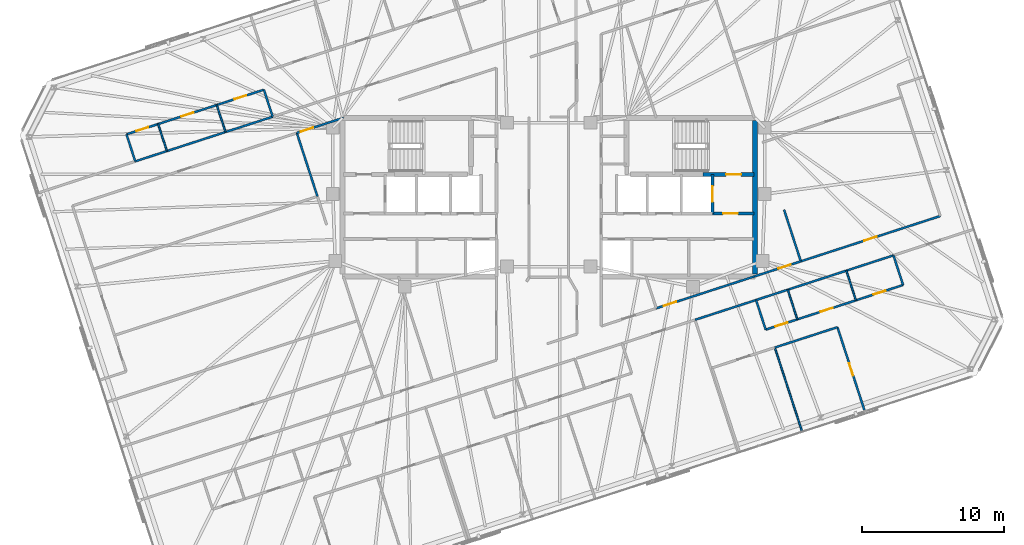
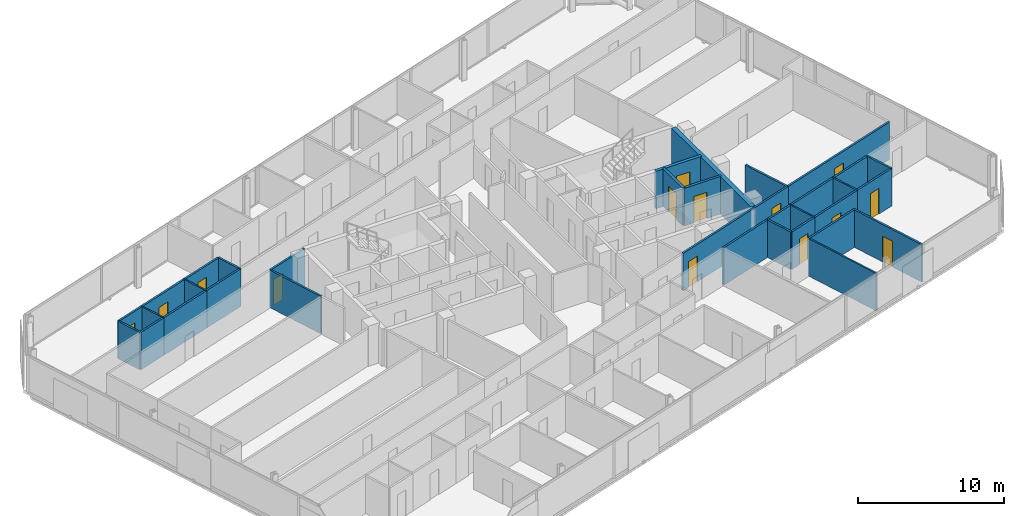
# One storey, part 16 of 20: 34 walls, 14 doors, 14 openings.
"""IFC4 building model written with IfcOpenShell, lengths in metres."""

from ifc_helpers import new_model, si_unit, direction, frame, frame_2d, origin, place, context, subcontext, project, spatial, rectangle, extrude, material, layer, layer_set, type_object, element, fill, save


model = new_model("IFC4")

# Units and contexts
model_context = context("Model", 3, precision=1e-05, world=origin(), true_north=direction((0.0, 1.0)))
body_context = subcontext(model_context, "Body", "Model", "MODEL_VIEW")
ifc_project = project(units=[si_unit("LENGTHUNIT", "METRE"), si_unit("AREAUNIT", "SQUARE_METRE"), si_unit("VOLUMEUNIT", "CUBIC_METRE"), si_unit("PLANEANGLEUNIT", "RADIAN"), si_unit("MASSUNIT", "GRAM", prefix="KILO")], contexts=[model_context])

# Site, building, storey
site_placement = place(None, origin())
site = spatial("IfcSite", under=ifc_project, at=site_placement, CompositionType="ELEMENT")
building_placement = place(site_placement, origin())
building = spatial("IfcBuilding", under=site, at=building_placement, Name="Menara Jurai Vektor", CompositionType="ELEMENT")
storey_placement = place(building_placement, frame((0.0, 0.0, 227.64990234375)))
storey = spatial("IfcBuildingStorey", under=building, at=storey_placement, Name="L60", CompositionType="ELEMENT", Elevation=227.64990234375)

# Wall, opening, door
ifc_material_1 = material(Name="Concrete C40/50", Category="concrete")
ifc_layer_1 = layer(ifc_material_1, 0.25)
ifc_layer_set_1 = layer_set([ifc_layer_1], Name="Concrete C40/50")
wall_type_1 = type_object("IfcWallType", Name="INT-WALL-CORE-250", PredefinedType="STANDARD", material=ifc_layer_set_1)
wall_1_placement = place(storey_placement, frame((10.89990234375, 1.60009765625, 0.0), z_axis=(0.0, 0.0, 1.0), x_axis=(1.0, 0.0, 0.0)))
wall_1 = element("IfcWall", 1, at=wall_1_placement, inside=storey, type_object=wall_type_1, Name="Interior Wall IW-250 L60", PredefinedType="STANDARD", context=body_context, shape_type="SweptSolid", body=[
    extrude(rectangle(XDim=3.60009765625, YDim=0.25, at=frame_2d((1.800048828125, 0.0))), origin(), (0.0, 0.0, 1.0), 3.125),
])
opening_1_placement = place(wall_1_placement, frame((1.6201171875, 0.0, 0.0)))
opening_1 = element("IfcOpeningElement", 2, at=opening_1_placement, cuts=wall_1, Name="Opening D-L60-ST2", PredefinedType="OPENING", context=body_context, shape_type="SweptSolid", body=[
    extrude(rectangle(XDim=1.050048828125, YDim=2.14990234375, at=frame_2d((0.52490234375, 1.074951171875))), frame((0.0, 0.135009765625, 0.0), z_axis=(0.0, -1.0, 0.0), x_axis=(1.0, 0.0, 0.0)), (0.0, 0.0, 1.0), 0.27001953125),
])
ifc_material_2 = material(Name="Fire-Rated Steel Door", Category="steel")
door_type_1 = type_object("IfcDoorType", Name="DR-STAIR-1050", OperationType="NOTDEFINED", PredefinedType="DOOR", material=ifc_material_2)
door_1_placement = place(opening_1_placement, origin())
door_1 = element("IfcDoor", 3, at=door_1_placement, inside=storey, type_object=door_type_1, Name="Exit Stair ST2 Door L60", OperationType="SINGLE_SWING_LEFT", OverallHeight=2.14990234375, OverallWidth=1.050048828125, PredefinedType="DOOR", context=body_context, shape_type="SweptSolid", body=[
    extrude(rectangle(XDim=1.050048828125, YDim=2.14990234375, at=frame_2d((0.52490234375, 1.074951171875))), frame((0.0, 0.02490234375, 0.0), z_axis=(0.0, -1.0, 0.0), x_axis=(1.0, 0.0, 0.0)), (0.0, 0.0, 1.0), 0.050048828125),
])
fill(opening_1, door_1)

wall_2_placement = place(storey_placement, frame((11.550048828125, -1.14990234375, 0.0), z_axis=(0.0, 0.0, 1.0), x_axis=(0.0, 1.0, 0.0)))
wall_2 = element("IfcWall", 4, at=wall_2_placement, inside=storey, type_object=wall_type_1, Name="Interior Wall IW-250 L60", PredefinedType="STANDARD", context=body_context, shape_type="SweptSolid", body=[
    extrude(rectangle(XDim=2.75, YDim=0.199951171875, at=frame_2d((1.375, 0.0))), origin(), (0.0, 0.0, 1.0), 3.125),
])
opening_2_placement = place(wall_2_placement, frame((0.824951171875, 0.0, 0.0)))
opening_2 = element("IfcOpeningElement", 5, at=opening_2_placement, cuts=wall_2, Name="Opening LD-L60-FL2", PredefinedType="OPENING", context=body_context, shape_type="SweptSolid", body=[
    extrude(rectangle(XDim=1.10009765625, YDim=2.14990234375, at=frame_2d((0.550048828125, 1.074951171875))), frame((0.0, 0.10986328125, 0.0), z_axis=(0.0, -1.0, 0.0), x_axis=(1.0, 0.0, 0.0)), (0.0, 0.0, 1.0), 0.219970703125),
])
ifc_material_3 = material(Name="Stainless Steel Sliding Lift Landing Door", Category="steel")
door_type_2 = type_object("IfcDoorType", Name="DR-LIFT-FIRE-1100", OperationType="NOTDEFINED", PredefinedType="DOOR", material=ifc_material_3)
door_2_placement = place(opening_2_placement, origin())
door_2 = element("IfcDoor", 6, at=door_2_placement, inside=storey, type_object=door_type_2, Name="Lift Landing Door FL2 L60", OperationType="SLIDING_TO_RIGHT", OverallHeight=2.14990234375, OverallWidth=1.10009765625, PredefinedType="DOOR", context=body_context, shape_type="SweptSolid", body=[
    extrude(rectangle(XDim=1.10009765625, YDim=2.14990234375, at=frame_2d((0.550048828125, 1.074951171875))), frame((0.0, 0.02490234375, 0.0), z_axis=(0.0, -1.0, 0.0), x_axis=(1.0, 0.0, 0.0)), (0.0, 0.0, 1.0), 0.050048828125),
])
fill(opening_2, door_2)

wall_3_placement = place(storey_placement, frame((11.550048828125, -1.14990234375, 0.0), z_axis=(0.0, 0.0, 1.0), x_axis=(1.0, 0.0, 0.0)))
wall_3 = element("IfcWall", 7, at=wall_3_placement, inside=storey, type_object=wall_type_1, Name="Interior Wall IW-250 L60", PredefinedType="STANDARD", context=body_context, shape_type="SweptSolid", body=[
    extrude(rectangle(XDim=2.949951171875, YDim=0.199951171875, at=frame_2d((1.47509765625, 0.0))), origin(), (0.0, 0.0, 1.0), 3.125),
])
opening_3_placement = place(wall_3_placement, frame((0.75, 0.0, 0.0)))
opening_3 = element("IfcOpeningElement", 8, at=opening_3_placement, cuts=wall_3, Name="Opening D-L60-FFE", PredefinedType="OPENING", context=body_context, shape_type="SweptSolid", body=[
    extrude(rectangle(XDim=1.050048828125, YDim=2.179931640625, at=frame_2d((0.52490234375, 1.08984375))), frame((0.0, 0.10986328125, 0.0), z_axis=(0.0, -1.0, 0.0), x_axis=(1.0, 0.0, 0.0)), (0.0, 0.0, 1.0), 0.219970703125),
])
ifc_material_4 = material(Name="Fire-Rated Timber Door", Category="wood")
door_type_3 = type_object("IfcDoorType", Name="DR-LOBBY-1050", OperationType="NOTDEFINED", PredefinedType="DOOR", material=ifc_material_4)
door_3_placement = place(opening_3_placement, origin())
door_3 = element("IfcDoor", 9, at=door_3_placement, inside=storey, type_object=door_type_3, Name="Fire Lift Lobby Door E L60", OperationType="SINGLE_SWING_LEFT", OverallHeight=2.179931640625, OverallWidth=1.050048828125, PredefinedType="DOOR", context=body_context, shape_type="SweptSolid", body=[
    extrude(rectangle(XDim=1.050048828125, YDim=2.179931640625, at=frame_2d((0.52490234375, 1.08984375))), frame((0.0, 0.02490234375, 0.0), z_axis=(0.0, -1.0, 0.0), x_axis=(1.0, 0.0, 0.0)), (0.0, 0.0, 1.0), 0.050048828125),
])
fill(opening_3, door_3)

# Walls
ifc_material_5 = material(Name="Gypsum Fireboard Partition", Category="gypsum")
ifc_layer_2 = layer(ifc_material_5, 0.14990234375)
ifc_layer_set_2 = layer_set([ifc_layer_2], Name="Gypsum Fireboard Partition")
wall_type_2 = type_object("IfcWallType", Name="INT-WALL-CORR-150", PredefinedType="PARTITIONING", material=ifc_layer_set_2)
wall_4_placement = place(storey_placement, frame((-29.197998046875, 2.5283203125, 0.0), z_axis=(0.0, 0.0, 1.0), x_axis=(0.951076048914, 0.308956872689, 0.0)))
element("IfcWall", 10, at=wall_4_placement, inside=storey, type_object=wall_type_2, Name="Interior Wall IW-150 L60", PredefinedType="PARTITIONING", context=body_context, shape_type="SweptSolid", body=[
    extrude(rectangle(XDim=2.35009765625, YDim=0.14990234375, at=frame_2d((1.175048828125, 0.0))), origin(), (0.0, 0.0, 1.0), 3.125),
])
wall_5_placement = place(storey_placement, frame((-26.962890625, 3.25439453125, 0.0), z_axis=(0.0, 0.0, 1.0), x_axis=(0.951057987102, 0.309012467661, 0.0)))
element("IfcWall", 11, at=wall_5_placement, inside=storey, type_object=wall_type_2, Name="Interior Wall IW-150 L60", PredefinedType="PARTITIONING", context=body_context, shape_type="SweptSolid", body=[
    extrude(rectangle(XDim=4.35009765625, YDim=0.14990234375, at=frame_2d((2.175048828125, 0.0))), origin(), (0.0, 0.0, 1.0), 3.125),
])
wall_6_placement = place(storey_placement, frame((-22.82568359375, 4.5986328125, 0.0), z_axis=(0.0, 0.0, 1.0), x_axis=(0.951055596592, 0.309019824916, 0.0)))
element("IfcWall", 12, at=wall_6_placement, inside=storey, type_object=wall_type_2, Name="Interior Wall IW-150 L60", PredefinedType="PARTITIONING", context=body_context, shape_type="SweptSolid", body=[
    extrude(rectangle(XDim=3.5, YDim=0.14990234375, at=frame_2d((1.75, 0.0))), origin(), (0.0, 0.0, 1.0), 3.125),
])
wall_7_placement = place(storey_placement, frame((10.324951171875, -8.66015625, 0.0), z_axis=(0.0, 0.0, 1.0), x_axis=(0.95106061278, 0.309004386407, 0.0)))
element("IfcWall", 13, at=wall_7_placement, inside=storey, type_object=wall_type_2, Name="Interior Wall IW-150 L60", PredefinedType="PARTITIONING", context=body_context, shape_type="SweptSolid", body=[
    extrude(rectangle(XDim=4.528076171875, YDim=0.14990234375, at=frame_2d((2.26416015625, 0.0))), origin(), (0.0, 0.0, 1.0), 3.125),
])
wall_8_placement = place(storey_placement, frame((14.63134765625, -7.260986328125, 0.0), z_axis=(0.0, 0.0, 1.0), x_axis=(0.951066131077, 0.308987401554, 0.0)))
element("IfcWall", 14, at=wall_8_placement, inside=storey, type_object=wall_type_2, Name="Interior Wall IW-150 L60", PredefinedType="PARTITIONING", context=body_context, shape_type="SweptSolid", body=[
    extrude(rectangle(XDim=2.349853515625, YDim=0.14990234375, at=frame_2d((1.1748046875, 0.0))), origin(), (0.0, 0.0, 1.0), 3.125),
])
wall_9_placement = place(storey_placement, frame((16.8662109375, -6.534912109375, 0.0), z_axis=(0.0, 0.0, 1.0), x_axis=(0.951041492154, 0.309063230101, 0.0)))
element("IfcWall", 15, at=wall_9_placement, inside=storey, type_object=wall_type_2, Name="Interior Wall IW-150 L60", PredefinedType="PARTITIONING", context=body_context, shape_type="SweptSolid", body=[
    extrude(rectangle(XDim=4.35009765625, YDim=0.14990234375, at=frame_2d((2.175048828125, 0.0))), origin(), (0.0, 0.0, 1.0), 3.125),
])
wall_10_placement = place(storey_placement, frame((21.00341796875, -5.1904296875, 0.0), z_axis=(0.0, 0.0, 1.0), x_axis=(0.951055596592, 0.309019824916, 0.0)))
element("IfcWall", 16, at=wall_10_placement, inside=storey, type_object=wall_type_2, Name="Interior Wall IW-150 L60", PredefinedType="PARTITIONING", context=body_context, shape_type="SweptSolid", body=[
    extrude(rectangle(XDim=3.5, YDim=0.14990234375, at=frame_2d((1.75, 0.0))), origin(), (0.0, 0.0, 1.0), 3.125),
])

# Wall, opening, door
wall_11_placement = place(storey_placement, frame((7.58837890625, -7.845947265625, 0.0), z_axis=(0.0, 0.0, 1.0), x_axis=(0.951058013903, 0.309012385174, 0.0)))
wall_11 = element("IfcWall", 17, at=wall_11_placement, inside=storey, type_object=wall_type_2, Name="Interior Wall IW-150 L60", PredefinedType="PARTITIONING", context=body_context, shape_type="SweptSolid", body=[
    extrude(rectangle(XDim=7.26708984375, YDim=0.14990234375, at=frame_2d((3.633544921875, 0.0))), origin(), (0.0, 0.0, 1.0), 3.125),
])
opening_4_placement = place(wall_11_placement, frame((0.557373046875, 0.0, 0.0)))
opening_4 = element("IfcOpeningElement", 18, at=opening_4_placement, cuts=wall_11, Name="Opening D60-47", PredefinedType="OPENING", context=body_context, shape_type="SweptSolid", body=[
    extrude(rectangle(XDim=0.919921875, YDim=2.14990234375, at=frame_2d((0.4599609375, 1.074951171875))), frame((0.0, 0.0849609375, 0.0), z_axis=(0.0, -1.0, 0.0), x_axis=(1.0, 0.0, 0.0)), (0.0, 0.0, 1.0), 0.169921875),
])
ifc_material_6 = material(Name="Solid Core Timber Fire Door", Category="wood")
door_type_4 = type_object("IfcDoorType", Name="DR-ENTRY-950", OperationType="NOTDEFINED", PredefinedType="DOOR", material=ifc_material_6)
door_4_placement = place(opening_4_placement, origin())
door_4 = element("IfcDoor", 19, at=door_4_placement, inside=storey, type_object=door_type_4, Name="Interior Door D60-47", OperationType="SINGLE_SWING_RIGHT", OverallHeight=2.14990234375, OverallWidth=0.919921875, PredefinedType="DOOR", context=body_context, shape_type="SweptSolid", body=[
    extrude(rectangle(XDim=0.919921875, YDim=2.14990234375, at=frame_2d((0.4599609375, 1.074951171875))), frame((0.0, 0.02490234375, 0.0), z_axis=(0.0, -1.0, 0.0), x_axis=(1.0, 0.0, 0.0)), (0.0, 0.0, 1.0), 0.050048828125),
])
fill(opening_4, door_4)

wall_12_placement = place(storey_placement, frame((14.499755859375, -5.600341796875, 0.0), z_axis=(0.0, 0.0, 1.0), x_axis=(0.951047546178, 0.309044600193, 0.0)))
wall_12 = element("IfcWall", 20, at=wall_12_placement, inside=storey, type_object=wall_type_2, Name="Interior Wall IW-150 L60", PredefinedType="PARTITIONING", context=body_context, shape_type="SweptSolid", body=[
    extrude(rectangle(XDim=3.4609375, YDim=0.14990234375, at=frame_2d((1.73046875, 0.0))), origin(), (0.0, 0.0, 1.0), 3.125),
])
opening_5_placement = place(wall_12_placement, frame((1.78955078125, 0.0, 0.0)))
opening_5 = element("IfcOpeningElement", 21, at=opening_5_placement, cuts=wall_12, Name="Opening D60-49", PredefinedType="OPENING", context=body_context, shape_type="SweptSolid", body=[
    extrude(rectangle(XDim=0.919921875, YDim=2.14990234375, at=frame_2d((0.4599609375, 1.074951171875))), frame((0.0, 0.0849609375, 0.0), z_axis=(0.0, -1.0, 0.0), x_axis=(1.0, 0.0, 0.0)), (0.0, 0.0, 1.0), 0.169921875),
])
door_5_placement = place(opening_5_placement, origin())
door_5 = element("IfcDoor", 22, at=door_5_placement, inside=storey, type_object=door_type_4, Name="Interior Door D60-49", OperationType="SINGLE_SWING_RIGHT", OverallHeight=2.14990234375, OverallWidth=0.919921875, PredefinedType="DOOR", context=body_context, shape_type="SweptSolid", body=[
    extrude(rectangle(XDim=0.919921875, YDim=2.14990234375, at=frame_2d((0.4599609375, 1.074951171875))), frame((0.0, 0.02490234375, 0.0), z_axis=(0.0, -1.0, 0.0), x_axis=(1.0, 0.0, 0.0)), (0.0, 0.0, 1.0), 0.050048828125),
])
fill(opening_5, door_5)

wall_13_placement = place(storey_placement, frame((-17.79150390625, 4.531005859375, 0.0), z_axis=(0.0, 0.0, 1.0), x_axis=(0.951047546178, 0.309044600193, 0.0)))
wall_13 = element("IfcWall", 23, at=wall_13_placement, inside=storey, type_object=wall_type_2, Name="Interior Wall IW-150 L60", PredefinedType="PARTITIONING", context=body_context, shape_type="SweptSolid", body=[
    extrude(rectangle(XDim=3.4609375, YDim=0.14990234375, at=frame_2d((1.73046875, 0.0))), origin(), (0.0, 0.0, 1.0), 3.125),
])
opening_6_placement = place(wall_13_placement, frame((0.301513671875, 0.0, 0.0)))
opening_6 = element("IfcOpeningElement", 24, at=opening_6_placement, cuts=wall_13, Name="Opening D60-54", PredefinedType="OPENING", context=body_context, shape_type="SweptSolid", body=[
    extrude(rectangle(XDim=0.919921875, YDim=2.14990234375, at=frame_2d((0.4599609375, 1.074951171875))), frame((0.0, 0.0849609375, 0.0), z_axis=(0.0, -1.0, 0.0), x_axis=(1.0, 0.0, 0.0)), (0.0, 0.0, 1.0), 0.169921875),
])
door_6_placement = place(opening_6_placement, origin())
door_6 = element("IfcDoor", 25, at=door_6_placement, inside=storey, type_object=door_type_4, Name="Interior Door D60-54", OperationType="SINGLE_SWING_LEFT", OverallHeight=2.14990234375, OverallWidth=0.919921875, PredefinedType="DOOR", context=body_context, shape_type="SweptSolid", body=[
    extrude(rectangle(XDim=0.919921875, YDim=2.14990234375, at=frame_2d((0.4599609375, 1.074951171875))), frame((0.0, 0.02490234375, 0.0), z_axis=(0.0, -1.0, 0.0), x_axis=(1.0, 0.0, 0.0)), (0.0, 0.0, 1.0), 0.050048828125),
])
fill(opening_6, door_6)

wall_14_placement = place(storey_placement, frame((17.791259765625, -4.53076171875, 0.0), z_axis=(0.0, 0.0, 1.0), x_axis=(0.951056769902, 0.309016213852, 0.0)))
wall_14 = element("IfcWall", 26, at=wall_14_placement, inside=storey, type_object=wall_type_2, Name="Interior Wall IW-150 L60", PredefinedType="PARTITIONING", context=body_context, shape_type="SweptSolid", body=[
    extrude(rectangle(XDim=10.35205078125, YDim=0.14990234375, at=frame_2d((5.176025390625, 0.0))), origin(), (0.0, 0.0, 1.0), 3.125),
])
opening_7_placement = place(wall_14_placement, frame((4.716064453125, 0.0, 0.0)))
opening_7 = element("IfcOpeningElement", 27, at=opening_7_placement, cuts=wall_14, Name="Opening D60-57", PredefinedType="OPENING", context=body_context, shape_type="SweptSolid", body=[
    extrude(rectangle(XDim=0.919921875, YDim=2.14990234375, at=frame_2d((0.4599609375, 1.074951171875))), frame((0.0, 0.0849609375, 0.0), z_axis=(0.0, -1.0, 0.0), x_axis=(1.0, 0.0, 0.0)), (0.0, 0.0, 1.0), 0.169921875),
])
door_7_placement = place(opening_7_placement, origin())
door_7 = element("IfcDoor", 28, at=door_7_placement, inside=storey, type_object=door_type_4, Name="Interior Door D60-57", OperationType="SINGLE_SWING_RIGHT", OverallHeight=2.14990234375, OverallWidth=0.919921875, PredefinedType="DOOR", context=body_context, shape_type="SweptSolid", body=[
    extrude(rectangle(XDim=0.919921875, YDim=2.14990234375, at=frame_2d((0.4599609375, 1.074951171875))), frame((0.0, 0.02490234375, 0.0), z_axis=(0.0, -1.0, 0.0), x_axis=(1.0, 0.0, 0.0)), (0.0, 0.0, 1.0), 0.050048828125),
])
fill(opening_7, door_7)

# Wall
wall_15_placement = place(storey_placement, frame((-29.197998046875, 2.5283203125, 0.0), z_axis=(0.0, 0.0, 1.0), x_axis=(-0.308948390121, 0.951078804433, 0.0)))
element("IfcWall", 29, at=wall_15_placement, inside=storey, type_object=wall_type_2, Name="Interior Wall IW-150 L60", PredefinedType="PARTITIONING", context=body_context, shape_type="SweptSolid", body=[
    extrude(rectangle(XDim=2.0048828125, YDim=0.14990234375, at=frame_2d((1.00244140625, 0.0))), origin(), (0.0, 0.0, 1.0), 3.125),
])

# Wall, opening, door
wall_16_placement = place(storey_placement, frame((-29.8173828125, 4.43505859375, 0.0), z_axis=(0.0, 0.0, 1.0), x_axis=(0.951035595692, 0.309081373955, 0.0)))
wall_16 = element("IfcWall", 30, at=wall_16_placement, inside=storey, type_object=wall_type_2, Name="Interior Wall IW-150 L60", PredefinedType="PARTITIONING", context=body_context, shape_type="SweptSolid", body=[
    extrude(rectangle(XDim=2.349853515625, YDim=0.14990234375, at=frame_2d((1.1748046875, 0.0))), origin(), (0.0, 0.0, 1.0), 3.125),
])
opening_8_placement = place(wall_16_placement, frame((0.735107421875, 0.0, 0.0)))
opening_8 = element("IfcOpeningElement", 31, at=opening_8_placement, cuts=wall_16, Name="Opening D60-10", PredefinedType="OPENING", context=body_context, shape_type="SweptSolid", body=[
    extrude(rectangle(XDim=0.8798828125, YDim=2.14990234375, at=frame_2d((0.43994140625, 1.074951171875))), frame((0.0, 0.0849609375, 0.0), z_axis=(0.0, -1.0, 0.0), x_axis=(1.0, 0.0, 0.0)), (0.0, 0.0, 1.0), 0.169921875),
])
ifc_material_7 = material(Name="Moisture-Resistant Timber Door", Category="wood")
door_type_5 = type_object("IfcDoorType", Name="DR-BATH-880", OperationType="NOTDEFINED", PredefinedType="DOOR", material=ifc_material_7)
door_8_placement = place(opening_8_placement, origin())
door_8 = element("IfcDoor", 32, at=door_8_placement, inside=storey, type_object=door_type_5, Name="Interior Door D60-10", OperationType="SINGLE_SWING_LEFT", OverallHeight=2.14990234375, OverallWidth=0.8798828125, PredefinedType="DOOR", context=body_context, shape_type="SweptSolid", body=[
    extrude(rectangle(XDim=0.8798828125, YDim=2.14990234375, at=frame_2d((0.43994140625, 1.074951171875))), frame((0.0, 0.02490234375, 0.0), z_axis=(0.0, -1.0, 0.0), x_axis=(1.0, 0.0, 0.0)), (0.0, 0.0, 1.0), 0.050048828125),
])
fill(opening_8, door_8)

wall_17_placement = place(storey_placement, frame((-27.58251953125, 5.161376953125, 0.0), z_axis=(0.0, 0.0, 1.0), x_axis=(0.951057987102, 0.309012467661, 0.0)))
wall_17 = element("IfcWall", 33, at=wall_17_placement, inside=storey, type_object=wall_type_2, Name="Interior Wall IW-150 L60", PredefinedType="PARTITIONING", context=body_context, shape_type="SweptSolid", body=[
    extrude(rectangle(XDim=4.35009765625, YDim=0.14990234375, at=frame_2d((2.175048828125, 0.0))), origin(), (0.0, 0.0, 1.0), 3.125),
])
opening_9_placement = place(wall_17_placement, frame((1.72509765625, 0.0, 0.0)))
opening_9 = element("IfcOpeningElement", 34, at=opening_9_placement, cuts=wall_17, Name="Opening D60-11", PredefinedType="OPENING", context=body_context, shape_type="SweptSolid", body=[
    extrude(rectangle(XDim=0.89990234375, YDim=2.14990234375, at=frame_2d((0.449951171875, 1.074951171875))), frame((0.0, 0.0849609375, 0.0), z_axis=(0.0, -1.0, 0.0), x_axis=(1.0, 0.0, 0.0)), (0.0, 0.0, 1.0), 0.169921875),
])
ifc_material_8 = material(Name="Acoustic Timber Interior Door", Category="wood")
door_type_6 = type_object("IfcDoorType", Name="DR-ROOM-900", OperationType="NOTDEFINED", PredefinedType="DOOR", material=ifc_material_8)
door_9_placement = place(opening_9_placement, origin())
door_9 = element("IfcDoor", 35, at=door_9_placement, inside=storey, type_object=door_type_6, Name="Interior Door D60-11", OperationType="SINGLE_SWING_RIGHT", OverallHeight=2.14990234375, OverallWidth=0.89990234375, PredefinedType="DOOR", context=body_context, shape_type="SweptSolid", body=[
    extrude(rectangle(XDim=0.89990234375, YDim=2.14990234375, at=frame_2d((0.449951171875, 1.074951171875))), frame((0.0, 0.02490234375, 0.0), z_axis=(0.0, -1.0, 0.0), x_axis=(1.0, 0.0, 0.0)), (0.0, 0.0, 1.0), 0.050048828125),
])
fill(opening_9, door_9)

wall_18_placement = place(storey_placement, frame((-23.4453125, 6.505615234375, 0.0), z_axis=(0.0, 0.0, 1.0), x_axis=(0.951055596592, 0.309019824916, 0.0)))
wall_18 = element("IfcWall", 36, at=wall_18_placement, inside=storey, type_object=wall_type_2, Name="Interior Wall IW-150 L60", PredefinedType="PARTITIONING", context=body_context, shape_type="SweptSolid", body=[
    extrude(rectangle(XDim=3.5, YDim=0.14990234375, at=frame_2d((1.75, 0.0))), origin(), (0.0, 0.0, 1.0), 3.125),
])
opening_10_placement = place(wall_18_placement, frame((1.31005859375, 0.0, 0.0)))
opening_10 = element("IfcOpeningElement", 37, at=opening_10_placement, cuts=wall_18, Name="Opening D60-12", PredefinedType="OPENING", context=body_context, shape_type="SweptSolid", body=[
    extrude(rectangle(XDim=0.8798828125, YDim=2.14990234375, at=frame_2d((0.43994140625, 1.074951171875))), frame((0.0, 0.0849609375, 0.0), z_axis=(0.0, -1.0, 0.0), x_axis=(1.0, 0.0, 0.0)), (0.0, 0.0, 1.0), 0.169921875),
])
door_10_placement = place(opening_10_placement, origin())
door_10 = element("IfcDoor", 38, at=door_10_placement, inside=storey, type_object=door_type_5, Name="Interior Door D60-12", OperationType="SINGLE_SWING_LEFT", OverallHeight=2.14990234375, OverallWidth=0.8798828125, PredefinedType="DOOR", context=body_context, shape_type="SweptSolid", body=[
    extrude(rectangle(XDim=0.8798828125, YDim=2.14990234375, at=frame_2d((0.43994140625, 1.074951171875))), frame((0.0, 0.02490234375, 0.0), z_axis=(0.0, -1.0, 0.0), x_axis=(1.0, 0.0, 0.0)), (0.0, 0.0, 1.0), 0.050048828125),
])
fill(opening_10, door_10)

# Walls
wall_19_placement = place(storey_placement, frame((-19.4970703125, 5.68017578125, 0.0), z_axis=(0.0, 0.0, 1.0), x_axis=(-0.309022749039, 0.951054646472, 0.0)))
element("IfcWall", 39, at=wall_19_placement, inside=storey, type_object=wall_type_2, Name="Interior Wall IW-150 L60", PredefinedType="PARTITIONING", context=body_context, shape_type="SweptSolid", body=[
    extrude(rectangle(XDim=2.005126953125, YDim=0.14990234375, at=frame_2d((1.00244140625, 0.0))), origin(), (0.0, 0.0, 1.0), 3.125),
])
wall_20_placement = place(storey_placement, frame((15.31103515625, -9.353271484375, 0.0), z_axis=(0.0, 0.0, 1.0), x_axis=(-0.308960600764, 0.951074837842, 0.0)))
element("IfcWall", 40, at=wall_20_placement, inside=storey, type_object=wall_type_2, Name="Interior Wall IW-150 L60", PredefinedType="PARTITIONING", context=body_context, shape_type="SweptSolid", body=[
    extrude(rectangle(XDim=2.199951171875, YDim=0.14990234375, at=frame_2d((1.10009765625, 0.0))), origin(), (0.0, 0.0, 1.0), 3.125),
])

# Wall, opening, door
wall_21_placement = place(storey_placement, frame((15.31103515625, -9.353271484375, 0.0), z_axis=(0.0, 0.0, 1.0), x_axis=(0.951076048914, 0.308956872689, 0.0)))
wall_21 = element("IfcWall", 41, at=wall_21_placement, inside=storey, type_object=wall_type_2, Name="Interior Wall IW-150 L60", PredefinedType="PARTITIONING", context=body_context, shape_type="SweptSolid", body=[
    extrude(rectangle(XDim=2.35009765625, YDim=0.14990234375, at=frame_2d((1.175048828125, 0.0))), origin(), (0.0, 0.0, 1.0), 3.125),
])
opening_11_placement = place(wall_21_placement, frame((0.735107421875, 0.0, 0.0)))
opening_11 = element("IfcOpeningElement", 42, at=opening_11_placement, cuts=wall_21, Name="Opening D60-36", PredefinedType="OPENING", context=body_context, shape_type="SweptSolid", body=[
    extrude(rectangle(XDim=0.8798828125, YDim=2.14990234375, at=frame_2d((0.43994140625, 1.074951171875))), frame((0.0, 0.0849609375, 0.0), z_axis=(0.0, -1.0, 0.0), x_axis=(1.0, 0.0, 0.0)), (0.0, 0.0, 1.0), 0.169921875),
])
door_11_placement = place(opening_11_placement, origin())
door_11 = element("IfcDoor", 43, at=door_11_placement, inside=storey, type_object=door_type_5, Name="Interior Door D60-36", OperationType="SINGLE_SWING_LEFT", OverallHeight=2.14990234375, OverallWidth=0.8798828125, PredefinedType="DOOR", context=body_context, shape_type="SweptSolid", body=[
    extrude(rectangle(XDim=0.8798828125, YDim=2.14990234375, at=frame_2d((0.43994140625, 1.074951171875))), frame((0.0, 0.02490234375, 0.0), z_axis=(0.0, -1.0, 0.0), x_axis=(1.0, 0.0, 0.0)), (0.0, 0.0, 1.0), 0.050048828125),
])
fill(opening_11, door_11)

wall_22_placement = place(storey_placement, frame((17.546142578125, -8.627197265625, 0.0), z_axis=(0.0, 0.0, 1.0), x_axis=(0.951052627573, 0.309028962374, 0.0)))
wall_22 = element("IfcWall", 44, at=wall_22_placement, inside=storey, type_object=wall_type_2, Name="Interior Wall IW-150 L60", PredefinedType="PARTITIONING", context=body_context, shape_type="SweptSolid", body=[
    extrude(rectangle(XDim=4.349853515625, YDim=0.14990234375, at=frame_2d((2.1748046875, 0.0))), origin(), (0.0, 0.0, 1.0), 3.125),
])
opening_12_placement = place(wall_22_placement, frame((1.72509765625, 0.0, 0.0)))
opening_12 = element("IfcOpeningElement", 45, at=opening_12_placement, cuts=wall_22, Name="Opening D60-37", PredefinedType="OPENING", context=body_context, shape_type="SweptSolid", body=[
    extrude(rectangle(XDim=0.89990234375, YDim=2.14990234375, at=frame_2d((0.449951171875, 1.074951171875))), frame((0.0, 0.0849609375, 0.0), z_axis=(0.0, -1.0, 0.0), x_axis=(1.0, 0.0, 0.0)), (0.0, 0.0, 1.0), 0.169921875),
])
door_12_placement = place(opening_12_placement, origin())
door_12 = element("IfcDoor", 46, at=door_12_placement, inside=storey, type_object=door_type_6, Name="Interior Door D60-37", OperationType="SINGLE_SWING_RIGHT", OverallHeight=2.14990234375, OverallWidth=0.89990234375, PredefinedType="DOOR", context=body_context, shape_type="SweptSolid", body=[
    extrude(rectangle(XDim=0.89990234375, YDim=2.14990234375, at=frame_2d((0.449951171875, 1.074951171875))), frame((0.0, 0.02490234375, 0.0), z_axis=(0.0, -1.0, 0.0), x_axis=(1.0, 0.0, 0.0)), (0.0, 0.0, 1.0), 0.050048828125),
])
fill(opening_12, door_12)

wall_23_placement = place(storey_placement, frame((21.68310546875, -7.282958984375, 0.0), z_axis=(0.0, 0.0, 1.0), x_axis=(0.951062257173, 0.308999325213, 0.0)))
wall_23 = element("IfcWall", 47, at=wall_23_placement, inside=storey, type_object=wall_type_2, Name="Interior Wall IW-150 L60", PredefinedType="PARTITIONING", context=body_context, shape_type="SweptSolid", body=[
    extrude(rectangle(XDim=3.500244140625, YDim=0.14990234375, at=frame_2d((1.75, 0.0))), origin(), (0.0, 0.0, 1.0), 3.125),
])
opening_13_placement = place(wall_23_placement, frame((1.31005859375, 0.0, 0.0)))
opening_13 = element("IfcOpeningElement", 48, at=opening_13_placement, cuts=wall_23, Name="Opening D60-38", PredefinedType="OPENING", context=body_context, shape_type="SweptSolid", body=[
    extrude(rectangle(XDim=0.8798828125, YDim=2.14990234375, at=frame_2d((0.43994140625, 1.074951171875))), frame((0.0, 0.0849609375, 0.0), z_axis=(0.0, -1.0, 0.0), x_axis=(1.0, 0.0, 0.0)), (0.0, 0.0, 1.0), 0.169921875),
])
door_13_placement = place(opening_13_placement, origin())
door_13 = element("IfcDoor", 49, at=door_13_placement, inside=storey, type_object=door_type_5, Name="Interior Door D60-38", OperationType="SINGLE_SWING_LEFT", OverallHeight=2.14990234375, OverallWidth=0.8798828125, PredefinedType="DOOR", context=body_context, shape_type="SweptSolid", body=[
    extrude(rectangle(XDim=0.8798828125, YDim=2.14990234375, at=frame_2d((0.43994140625, 1.074951171875))), frame((0.0, 0.02490234375, 0.0), z_axis=(0.0, -1.0, 0.0), x_axis=(1.0, 0.0, 0.0)), (0.0, 0.0, 1.0), 0.050048828125),
])
fill(opening_13, door_13)

# Walls
wall_24_placement = place(storey_placement, frame((25.011962890625, -6.201416015625, 0.0), z_axis=(0.0, 0.0, 1.0), x_axis=(-0.309028364152, 0.951052821956, 0.0)))
element("IfcWall", 50, at=wall_24_placement, inside=storey, type_object=wall_type_2, Name="Interior Wall IW-150 L60", PredefinedType="PARTITIONING", context=body_context, shape_type="SweptSolid", body=[
    extrude(rectangle(XDim=2.2001953125, YDim=0.14990234375, at=frame_2d((1.10009765625, 0.0))), origin(), (0.0, 0.0, 1.0), 3.125),
])
wall_25_placement = place(storey_placement, frame((15.954833984375, -10.6162109375, 0.0), z_axis=(0.0, 0.0, 1.0), x_axis=(0.951050272606, 0.309036209813, 0.0)))
element("IfcWall", 51, at=wall_25_placement, inside=storey, type_object=wall_type_2, Name="Interior Wall IW-150 L60", PredefinedType="PARTITIONING", context=body_context, shape_type="SweptSolid", body=[
    extrude(rectangle(XDim=4.64990234375, YDim=0.14990234375, at=frame_2d((2.324951171875, 0.0))), origin(), (0.0, 0.0, 1.0), 3.125),
])

# Wall, opening, door
wall_26_placement = place(storey_placement, frame((22.312255859375, -15.134765625, 0.0), z_axis=(0.0, 0.0, 1.0), x_axis=(-0.309013782848, 0.951057559777, 0.0)))
wall_26 = element("IfcWall", 52, at=wall_26_placement, inside=storey, type_object=wall_type_2, Name="Interior Wall IW-150 L60", PredefinedType="PARTITIONING", context=body_context, shape_type="SweptSolid", body=[
    extrude(rectangle(XDim=6.261962890625, YDim=0.14990234375, at=frame_2d((3.130859375, 0.0))), origin(), (0.0, 0.0, 1.0), 3.125),
])
opening_14_placement = place(wall_26_placement, frame((2.680908203125, 0.0, 0.0)))
opening_14 = element("IfcOpeningElement", 53, at=opening_14_placement, cuts=wall_26, Name="Opening D60-40", PredefinedType="OPENING", context=body_context, shape_type="SweptSolid", body=[
    extrude(rectangle(XDim=0.89990234375, YDim=2.14990234375, at=frame_2d((0.449951171875, 1.074951171875))), frame((0.0, 0.0849609375, 0.0), z_axis=(0.0, -1.0, 0.0), x_axis=(1.0, 0.0, 0.0)), (0.0, 0.0, 1.0), 0.169921875),
])
door_14_placement = place(opening_14_placement, origin())
door_14 = element("IfcDoor", 54, at=door_14_placement, inside=storey, type_object=door_type_6, Name="Interior Door D60-40", OperationType="SINGLE_SWING_LEFT", OverallHeight=2.14990234375, OverallWidth=0.89990234375, PredefinedType="DOOR", context=body_context, shape_type="SweptSolid", body=[
    extrude(rectangle(XDim=0.89990234375, YDim=2.14990234375, at=frame_2d((0.449951171875, 1.074951171875))), frame((0.0, 0.02490234375, 0.0), z_axis=(0.0, -1.0, 0.0), x_axis=(1.0, 0.0, 0.0)), (0.0, 0.0, 1.0), 0.050048828125),
])
fill(opening_14, door_14)

# Walls
wall_27_placement = place(storey_placement, frame((-16.3369140625, 0.054443359375, 0.0), z_axis=(0.0, 0.0, 1.0), x_axis=(-0.309029776355, 0.951052363083, 0.0)))
element("IfcWall", 55, at=wall_27_placement, inside=storey, type_object=wall_type_2, Name="Interior Wall IW-150 L60", PredefinedType="PARTITIONING", context=body_context, shape_type="SweptSolid", body=[
    extrude(rectangle(XDim=4.70703125, YDim=0.14990234375, at=frame_2d((2.353515625, 0.0))), origin(), (0.0, 0.0, 1.0), 3.125),
])
wall_28_placement = place(storey_placement, frame((17.791259765625, -4.53076171875, 0.0), z_axis=(0.0, 0.0, 1.0), x_axis=(-0.309018414265, 0.951056054944, 0.0)))
element("IfcWall", 56, at=wall_28_placement, inside=storey, type_object=wall_type_2, Name="Interior Wall IW-150 L60", PredefinedType="PARTITIONING", context=body_context, shape_type="SweptSolid", body=[
    extrude(rectangle(XDim=3.8349609375, YDim=0.14990234375, at=frame_2d((1.91748046875, 0.0))), origin(), (0.0, 0.0, 1.0), 3.125),
])
ifc_material_9 = material(Name="Gypsum Acoustic Stud Partition", Category="gypsum")
ifc_layer_3 = layer(ifc_material_9, 0.1201171875)
ifc_layer_set_3 = layer_set([ifc_layer_3], Name="Gypsum Acoustic Stud Partition")
wall_type_3 = type_object("IfcWallType", Name="INT-WALL-PART-120", PredefinedType="PARTITIONING", material=ifc_layer_set_3)
for number, where, z_axis, x_axis, name in (
    (57, (-26.962890625, 3.25439453125, 0.0), (0.0, 0.0, 1.0), (-0.309022749039, 0.951054646472, 0.0), "Interior Wall IW-120 L60"),
    (58, (-22.82568359375, 4.5986328125, 0.0), (0.0, 0.0, 1.0), (-0.309022749039, 0.951054646472, 0.0), "Interior Wall IW-120 L60"),
):
    element("IfcWall", number, at=place(storey_placement, frame(where, z_axis=z_axis, x_axis=x_axis)), inside=storey, type_object=wall_type_3, Name=name, PredefinedType="PARTITIONING", context=body_context, shape_type="SweptSolid", body=[
        extrude(rectangle(XDim=2.005126953125, YDim=0.1201171875, at=frame_2d((1.00244140625, 0.0))), origin(), (0.0, 0.0, 1.0), 3.125),
    ])
wall_29_placement = place(storey_placement, frame((17.546142578125, -8.627197265625, 0.0), z_axis=(0.0, 0.0, 1.0), x_axis=(-0.309060979314, 0.951042223598, 0.0)))
element("IfcWall", 59, at=wall_29_placement, inside=storey, type_object=wall_type_3, Name="Interior Wall IW-120 L60", PredefinedType="PARTITIONING", context=body_context, shape_type="SweptSolid", body=[
    extrude(rectangle(XDim=2.199951171875, YDim=0.1201171875, at=frame_2d((1.10009765625, 0.0))), origin(), (0.0, 0.0, 1.0), 3.125),
])
wall_30_placement = place(storey_placement, frame((21.68310546875, -7.282958984375, 0.0), z_axis=(0.0, 0.0, 1.0), x_axis=(-0.30892799396, 0.951085429679, 0.0)))
element("IfcWall", 60, at=wall_30_placement, inside=storey, type_object=wall_type_3, Name="Interior Wall IW-120 L60", PredefinedType="PARTITIONING", context=body_context, shape_type="SweptSolid", body=[
    extrude(rectangle(XDim=2.2001953125, YDim=0.1201171875, at=frame_2d((1.10009765625, 0.0))), origin(), (0.0, 0.0, 1.0), 3.125),
])
wall_31_placement = place(storey_placement, frame((17.889892578125, -16.57177734375, 0.0), z_axis=(0.0, 0.0, 1.0), x_axis=(-0.309013782848, 0.951057559777, 0.0)))
element("IfcWall", 61, at=wall_31_placement, inside=storey, type_object=wall_type_3, Name="Interior Wall IW-120 L60", PredefinedType="PARTITIONING", context=body_context, shape_type="SweptSolid", body=[
    extrude(rectangle(XDim=6.261962890625, YDim=0.1201171875, at=frame_2d((3.130859375, 0.0))), origin(), (0.0, 0.0, 1.0), 3.125),
])
ifc_material_10 = material(Name="Concrete C50/60", Category="concrete")
ifc_layer_4 = layer(ifc_material_10, 0.35009765625)
ifc_layer_set_4 = layer_set([ifc_layer_4], Name="Concrete C50/60")
wall_type_4 = type_object("IfcWallType", Name="STR-WALL-CORE350", PredefinedType="SHEAR", material=ifc_layer_set_4)
wall_32_placement = place(storey_placement, frame((14.56005859375, -5.425048828125, 0.0), z_axis=(0.0, 0.0, 1.0), x_axis=(0.0, 1.0, 0.0)))
element("IfcWall", 62, at=wall_32_placement, inside=storey, type_object=wall_type_4, Name="Core Shear Wall CW-E-E L60", PredefinedType="SHEAR", context=body_context, shape_type="SweptSolid", body=[
    extrude(rectangle(XDim=10.85009765625, YDim=0.35009765625, at=frame_2d((5.425048828125, 0.0))), origin(), (0.0, 0.0, 1.0), 3.125),
])

save(model, "model.ifc")
